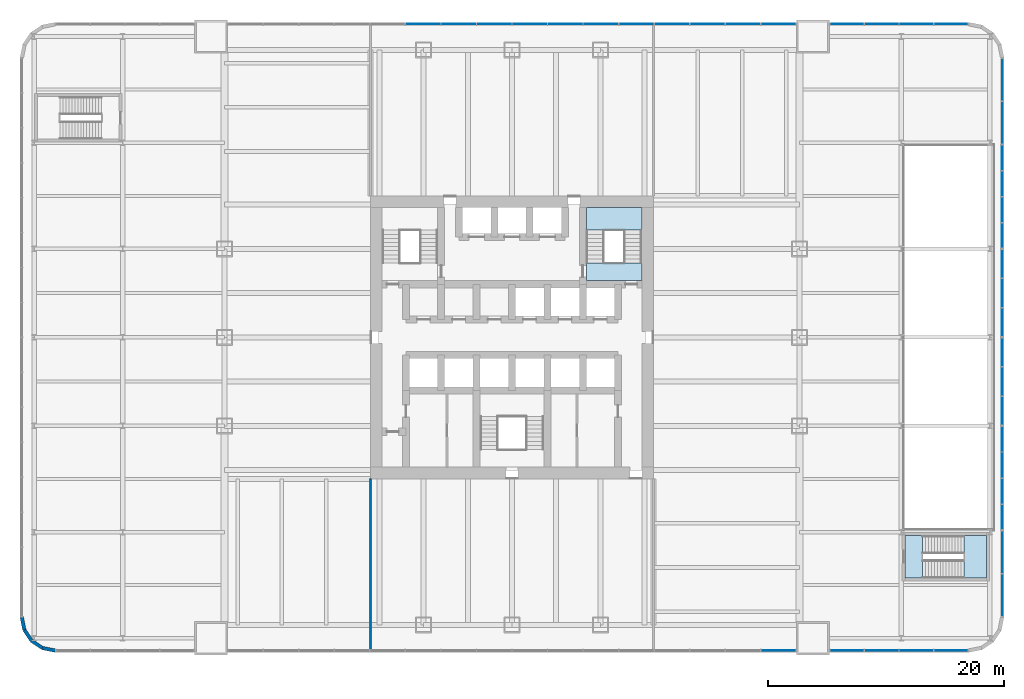
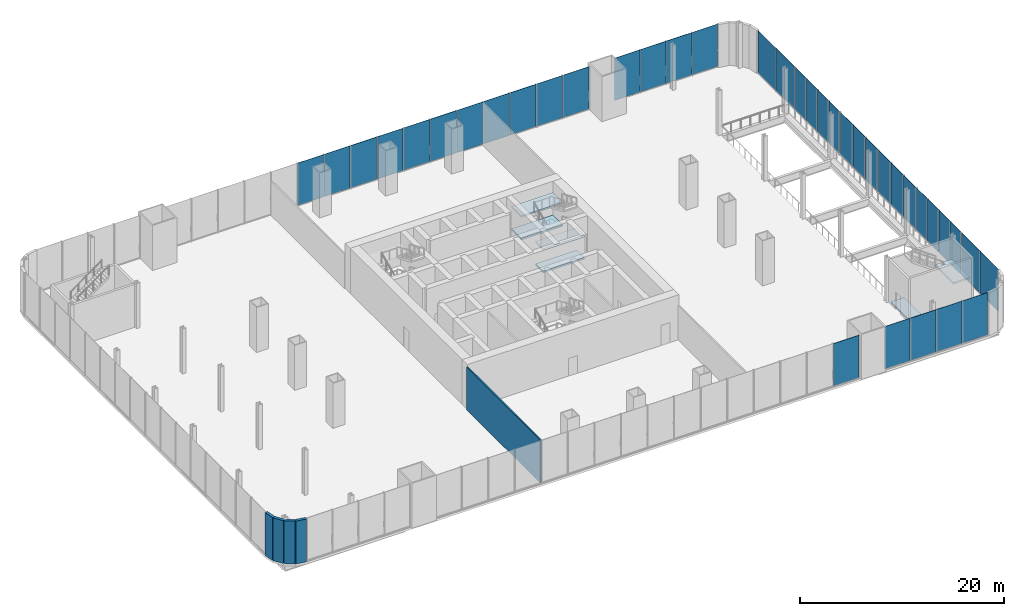
# One storey, part 11 of 16: 38 plates, 6 slabs, 5 walls, 12 elements without a shape of their own.
"""IFC4 building model written with IfcOpenShell, lengths in metres."""

import ifcopenshell
import ifcopenshell.guid

model = None  # the IFC model being written
_history = None  # IfcOwnerHistory: only IFC2X3 demands one
_inside = {}  # id of a spatial element -> (the spatial element, [elements in it])
_under = {}  # id of a project, library or spatial element -> (it, [spatial elements below it])
_declared = {}  # id of a project -> (the project, [libraries it declares])
_typed = {}  # id of a type object -> (the type object, [elements of that type])
_made_of = {}  # id of a material, layer set ... -> (it, [elements and type objects made of it])


def new_model(schema):
    """Start an empty IFC model of exactly this schema.

    Asked for "IFC4X3", IfcOpenShell would pick the latest addendum, in which some entities
    have other attributes; the version numbers below select the first issue.
    IFC2X3 requires an IfcOwnerHistory on every rooted entity: one is made here for all.
    """
    global model, _history
    if schema == "IFC4X3":
        model = ifcopenshell.file(schema_version=(4, 3, 0, 0))
    else:
        model = ifcopenshell.file(schema=schema)
    _inside.clear()
    _under.clear()
    _declared.clear()
    _typed.clear()
    _made_of.clear()
    _history = None
    if model.schema == "IFC2X3":
        org = make("IfcOrganization", Name="unknown")
        user = make(
            "IfcPersonAndOrganization",
            ThePerson=make("IfcPerson", FamilyName="unknown"),
            TheOrganization=org,
        )
        app = make(
            "IfcApplication",
            ApplicationDeveloper=org,
            Version="unknown",
            ApplicationFullName="unknown",
            ApplicationIdentifier="unknown",
        )
        _history = make(
            "IfcOwnerHistory",
            OwningUser=user,
            OwningApplication=app,
            ChangeAction="ADDED",
            CreationDate=0,
        )
    return model


def make(cls, **values):
    """One entity of the class cls with the attributes given. An attribute that is None is left unset."""
    return model.create_entity(
        cls, **{name: value for name, value in values.items() if value is not None}
    )


def rooted(cls, **values):
    """An entity with a GlobalId (a new one), such as an element, a storey or a relation."""
    return make(cls, GlobalId=ifcopenshell.guid.new(), OwnerHistory=_history, **values)


def si_unit(unit_type, name, prefix=None):
    """IfcSIUnit, for example si_unit("LENGTHUNIT", "METRE", prefix="MILLI")."""
    return make("IfcSIUnit", UnitType=unit_type, Prefix=prefix, Name=name)


def assignment(units):
    """IfcUnitAssignment: the units of a project."""
    return None if units is None else make("IfcUnitAssignment", Units=units)


def point(xyz):
    """IfcCartesianPoint."""
    return None if xyz is None else make("IfcCartesianPoint", Coordinates=xyz)


def direction(xyz):
    """IfcDirection."""
    return None if xyz is None else make("IfcDirection", DirectionRatios=xyz)


def frame(location, z_axis=None, x_axis=None):
    """IfcAxis2Placement3D, a coordinate frame: its origin and axes. An axis left out is left unset."""
    return make(
        "IfcAxis2Placement3D",
        Location=point(location),
        Axis=direction(z_axis),
        RefDirection=direction(x_axis),
    )


def frame_2d(location, x_axis=None):
    """IfcAxis2Placement2D, a coordinate frame in the plane: its origin and x axis."""
    return make(
        "IfcAxis2Placement2D", Location=point(location), RefDirection=direction(x_axis)
    )


def origin():
    """The frame at (0, 0, 0) with its axes left unset."""
    return frame((0.0, 0.0, 0.0))


def origin_2d():
    """The frame at (0, 0) in the plane with its x axis left unset."""
    return frame_2d((0.0, 0.0))


def place(relative_to, where):
    """IfcLocalPlacement: puts the frame where relative to a parent placement (None: the world)."""
    return make(
        "IfcLocalPlacement", PlacementRelTo=relative_to, RelativePlacement=where
    )


def context(
    kind, dimensions, precision=None, world=None, true_north=None, identifier=None
):
    """IfcGeometricRepresentationContext, for example the 3D "Model" context."""
    return make(
        "IfcGeometricRepresentationContext",
        ContextIdentifier=identifier,
        ContextType=kind,
        CoordinateSpaceDimension=dimensions,
        Precision=precision,
        WorldCoordinateSystem=world,
        TrueNorth=true_north,
    )


def subcontext(parent, identifier, kind, view, scale=None):
    """IfcGeometricRepresentationSubContext, for example "Body" below "Model"."""
    return make(
        "IfcGeometricRepresentationSubContext",
        ContextIdentifier=identifier,
        ContextType=kind,
        ParentContext=parent,
        TargetScale=scale,
        TargetView=view,
    )


def project(units=None, contexts=None):
    """IfcProject with its units and contexts."""
    return rooted(
        "IfcProject",
        Name="project",
        RepresentationContexts=contexts,
        UnitsInContext=assignment(units),
    )


def spatial(cls, under=None, at=None, **own):
    """A site, building, storey or space (cls), placed at a placement, below another one or the project."""
    s = rooted(cls, ObjectPlacement=at, **own)
    if under is not None:
        _under.setdefault(under.id(), (under, []))[1].append(s)
    return s


def polyline(points):
    """IfcPolyline through the points."""
    return make("IfcPolyline", Points=[point(p) for p in points])


def profile(cls, at=None, kind="AREA", **sizes):
    """A parametric profile (cls). Its sizes go by their IFC names, for example OverallWidth=200.0."""
    return make(cls, ProfileType=kind, Position=at, **sizes)


def rectangle(**sizes):
    """IfcRectangleProfileDef."""
    return profile("IfcRectangleProfileDef", **sizes)


def outline(outer, holes=None, kind="AREA"):
    """IfcArbitraryClosedProfileDef: a profile drawn as a closed curve; with holes, ...WithVoids."""
    if holes is None:
        return make("IfcArbitraryClosedProfileDef", ProfileType=kind, OuterCurve=outer)
    return make(
        "IfcArbitraryProfileDefWithVoids",
        ProfileType=kind,
        OuterCurve=outer,
        InnerCurves=holes,
    )


def extrude(swept, where, along, depth):
    """IfcExtrudedAreaSolid: the profile swept, set in the frame where, extruded along a direction by depth."""
    return make(
        "IfcExtrudedAreaSolid",
        SweptArea=swept,
        Position=where,
        ExtrudedDirection=direction(along),
        Depth=depth,
    )


def shape(context_of_items, identifier, shape_type, items):
    """IfcShapeRepresentation: the items that make up one representation, for example the "Body"."""
    return make(
        "IfcShapeRepresentation",
        ContextOfItems=context_of_items,
        RepresentationIdentifier=identifier,
        RepresentationType=shape_type,
        Items=items,
    )


def material(Name=None, Category=None):
    """IfcMaterial."""
    return make("IfcMaterial", Name=Name, Category=Category)


def layer(
    of_material, thickness, ventilated=None, Name=None, Category=None, Priority=None
):
    """IfcMaterialLayer: one layer of a wall or slab, of a material (None: an air gap)."""
    return make(
        "IfcMaterialLayer",
        Material=of_material,
        LayerThickness=thickness,
        IsVentilated=ventilated,
        Name=Name,
        Category=Category,
        Priority=Priority,
    )


def layer_set(layers, Name=None):
    """IfcMaterialLayerSet."""
    return make("IfcMaterialLayerSet", MaterialLayers=layers, LayerSetName=Name)


def made_of(thing, what):
    """Note that an element or type object is made of a material, layer set ...; save() writes the relation."""
    if what is not None:
        _made_of.setdefault(what.id(), (what, []))[1].append(thing)
    return thing


def type_object(cls, material=None, **own):
    """A type object (cls), such as IfcWallType, which elements share."""
    return made_of(rooted(cls, **own), material)


def element(
    cls,
    number,
    at=None,
    inside=None,
    cuts=None,
    type_object=None,
    material=None,
    context=None,
    identifier="Body",
    shape_type=None,
    held_by="IfcProductDefinitionShape",
    body=None,
    shapes=None,
    **own,
):
    """One element of the class cls, such as IfcWall. Its Tag is "e" and its number.

    at: its placement. inside: the storey or other place that contains it. cuts: it is an
    opening in that element (IfcRelVoidsElement). A single representation is given by context,
    identifier, shape_type and body (its items); several are given by shapes. held_by: the class
    of the entity that holds the representations. save() writes the other relations.
    """
    e = rooted(cls, Tag="e%d" % number, ObjectPlacement=at, **own)
    if body is not None:
        shapes = [shape(context, identifier, shape_type, body)]
    if shapes is not None:
        e.Representation = make(held_by, Representations=shapes)
    if inside is not None:
        _inside.setdefault(inside.id(), (inside, []))[1].append(e)
    if cuts is not None:
        rooted(
            "IfcRelVoidsElement", RelatingBuildingElement=cuts, RelatedOpeningElement=e
        )
    if type_object is not None:
        _typed.setdefault(type_object.id(), (type_object, []))[1].append(e)
    return made_of(e, material)


def aggregate(whole, parts):
    """IfcRelAggregates: a whole, such as a stair, and the parts it consists of."""
    return rooted("IfcRelAggregates", RelatingObject=whole, RelatedObjects=parts)


def save(model, path):
    """Write the relations noted so far, then the file.

    IfcRelAggregates (storeys below a building ...), IfcRelContainedInSpatialStructure (elements
    in a storey), IfcRelDefinesByType, IfcRelAssociatesMaterial and IfcRelDeclares: one each for
    every whole, place, type object, material and project.
    """
    for whole, parts in _under.values():
        aggregate(whole, parts)
    for where, things in _inside.values():
        rooted(
            "IfcRelContainedInSpatialStructure",
            RelatedElements=things,
            RelatingStructure=where,
        )
    for kind, things in _typed.values():
        rooted("IfcRelDefinesByType", RelatedObjects=things, RelatingType=kind)
    for what, things in _made_of.values():
        rooted("IfcRelAssociatesMaterial", RelatedObjects=things, RelatingMaterial=what)
    for by, libraries in _declared.values():
        rooted("IfcRelDeclares", RelatingContext=by, RelatedDefinitions=libraries)
    model.write(path)


model = new_model("IFC4")

# Units and contexts
model_context = context("Model", 3, precision=1e-05, world=origin(), true_north=direction((0.0, 1.0)))
body_context = subcontext(model_context, "Body", "Model", "MODEL_VIEW")
ifc_project = project(units=[si_unit("LENGTHUNIT", "METRE"), si_unit("AREAUNIT", "SQUARE_METRE"), si_unit("VOLUMEUNIT", "CUBIC_METRE"), si_unit("PLANEANGLEUNIT", "RADIAN"), si_unit("MASSUNIT", "GRAM", prefix="KILO")], contexts=[model_context])

# Site, building, storey
site_placement = place(None, origin())
site = spatial("IfcSite", under=ifc_project, at=site_placement, CompositionType="ELEMENT")
building_placement = place(site_placement, origin())
building = spatial("IfcBuilding", under=site, at=building_placement, Name="Tarangal Relay Tower", CompositionType="ELEMENT")
storey_placement = place(building_placement, frame((0.0, 0.0, 12.60009765625)))
storey = spatial("IfcBuildingStorey", under=building, at=storey_placement, Name="L02", CompositionType="ELEMENT", Elevation=12.60009765625)

# Curtain wall, plates
ifc_material_1 = material(Name="Unitised curtain wall, dark glass and black aluminium", Category="aluminium")
curtain_wall_type_1 = type_object("IfcCurtainWallType", Name="Curtain wall CW-P", PredefinedType="USERDEFINED", material=ifc_material_1)
curtain_wall_1_placement = place(storey_placement, origin())
curtain_wall_1 = element("IfcCurtainWall", 1, at=curtain_wall_1_placement, inside=storey, type_object=curtain_wall_type_1, Name="Curtain wall CW-P Podium N facade L02", ObjectType="UNITISED CURTAIN WALL", PredefinedType="USERDEFINED")
ifc_material_2 = material(Name="Dark tinted insulated glass unit", Category="glass")
ifc_layer_1 = layer(ifc_material_2, 0.033935546875)
ifc_layer_set_1 = layer_set([ifc_layer_1], Name="Glazed panel CW-P 34")
plate_type_1 = type_object("IfcPlateType", Name="Glazed panel CW-P 34", PredefinedType="CURTAIN_PANEL", material=ifc_layer_set_1)
plate_1_placement = place(storey_placement, frame((37.20751953125, 26.550048828125, 0.06982421875), z_axis=(0.0, 0.0, 1.0), x_axis=(-1.0, 0.0, 0.0)))
plate_1 = element("IfcPlate", 2, at=plate_1_placement, type_object=plate_type_1, Name="CW-P panel 1.1", PredefinedType="CURTAIN_PANEL", context=body_context, shape_type="SweptSolid", body=[
    extrude(rectangle(XDim=2.844970703125, YDim=0.033935546875, at=origin_2d()), origin(), (0.0, 0.0, 1.0), 5.080078125),
])
plate_2_placement = place(storey_placement, frame((34.27490234375, 26.550048828125, 0.06982421875), z_axis=(0.0, 0.0, 1.0), x_axis=(-1.0, 0.0, 0.0)))
plate_2 = element("IfcPlate", 3, at=plate_2_placement, type_object=plate_type_1, Name="CW-P panel 2.1", PredefinedType="CURTAIN_PANEL", context=body_context, shape_type="SweptSolid", body=[
    extrude(rectangle(XDim=2.8798828125, YDim=0.033935546875, at=origin_2d()), origin(), (0.0, 0.0, 1.0), 5.080078125),
])
plate_3_placement = place(storey_placement, frame((31.324951171875, 26.550048828125, 0.06982421875), z_axis=(0.0, 0.0, 1.0), x_axis=(-1.0, 0.0, 0.0)))
plate_3 = element("IfcPlate", 4, at=plate_3_placement, type_object=plate_type_1, Name="CW-P panel 3.1", PredefinedType="CURTAIN_PANEL", context=body_context, shape_type="SweptSolid", body=[
    extrude(rectangle(XDim=2.8798828125, YDim=0.033935546875, at=origin_2d()), origin(), (0.0, 0.0, 1.0), 5.080078125),
])
plate_4_placement = place(storey_placement, frame((28.392578125, 26.550048828125, 0.06982421875), z_axis=(0.0, 0.0, 1.0), x_axis=(-1.0, 0.0, 0.0)))
plate_4 = element("IfcPlate", 5, at=plate_4_placement, type_object=plate_type_1, Name="CW-P panel 4.1", PredefinedType="CURTAIN_PANEL", context=body_context, shape_type="SweptSolid", body=[
    extrude(rectangle(XDim=2.844970703125, YDim=0.033935546875, at=origin_2d()), origin(), (0.0, 0.0, 1.0), 5.080078125),
])
aggregate(curtain_wall_1, [plate_1, plate_2, plate_3, plate_4])

curtain_wall_2_placement = place(storey_placement, origin())
curtain_wall_2 = element("IfcCurtainWall", 6, at=curtain_wall_2_placement, inside=storey, type_object=curtain_wall_type_1, Name="Curtain wall CW-P Podium N facade L02", ObjectType="UNITISED CURTAIN WALL", PredefinedType="USERDEFINED")
plate_5_placement = place(storey_placement, frame((22.576171875, 26.550048828125, 0.06982421875), z_axis=(0.0, 0.0, 1.0), x_axis=(-1.0, 0.0, 0.0)))
plate_5 = element("IfcPlate", 7, at=plate_5_placement, type_object=plate_type_1, Name="CW-P panel 1.1", PredefinedType="CURTAIN_PANEL", context=body_context, shape_type="SweptSolid", body=[
    extrude(rectangle(XDim=2.907470703125, YDim=0.033935546875, at=origin_2d()), origin(), (0.0, 0.0, 1.0), 5.080078125),
])
plate_6_placement = place(storey_placement, frame((19.581298828125, 26.550048828125, 0.06982421875), z_axis=(0.0, 0.0, 1.0), x_axis=(-1.0, 0.0, 0.0)))
plate_6 = element("IfcPlate", 8, at=plate_6_placement, type_object=plate_type_1, Name="CW-P panel 2.1", PredefinedType="CURTAIN_PANEL", context=body_context, shape_type="SweptSolid", body=[
    extrude(rectangle(XDim=2.9423828125, YDim=0.033935546875, at=origin_2d()), origin(), (0.0, 0.0, 1.0), 5.080078125),
])
plate_7_placement = place(storey_placement, frame((16.56884765625, 26.550048828125, 0.06982421875), z_axis=(0.0, 0.0, 1.0), x_axis=(-1.0, 0.0, 0.0)))
plate_7 = element("IfcPlate", 9, at=plate_7_placement, type_object=plate_type_1, Name="CW-P panel 3.1", PredefinedType="CURTAIN_PANEL", context=body_context, shape_type="SweptSolid", body=[
    extrude(rectangle(XDim=2.9423828125, YDim=0.033935546875, at=origin_2d()), origin(), (0.0, 0.0, 1.0), 5.080078125),
])
plate_8_placement = place(storey_placement, frame((13.55615234375, 26.550048828125, 0.06982421875), z_axis=(0.0, 0.0, 1.0), x_axis=(-1.0, 0.0, 0.0)))
plate_8 = element("IfcPlate", 10, at=plate_8_placement, type_object=plate_type_1, Name="CW-P panel 4.1", PredefinedType="CURTAIN_PANEL", context=body_context, shape_type="SweptSolid", body=[
    extrude(rectangle(XDim=2.9423828125, YDim=0.033935546875, at=origin_2d()), origin(), (0.0, 0.0, 1.0), 5.080078125),
])
plate_9_placement = place(storey_placement, frame((10.543701171875, 26.550048828125, 0.06982421875), z_axis=(0.0, 0.0, 1.0), x_axis=(-1.0, 0.0, 0.0)))
plate_9 = element("IfcPlate", 11, at=plate_9_placement, type_object=plate_type_1, Name="CW-P panel 5.1", PredefinedType="CURTAIN_PANEL", context=body_context, shape_type="SweptSolid", body=[
    extrude(rectangle(XDim=2.9423828125, YDim=0.033935546875, at=origin_2d()), origin(), (0.0, 0.0, 1.0), 5.080078125),
])
plate_10_placement = place(storey_placement, frame((7.53125, 26.550048828125, 0.06982421875), z_axis=(0.0, 0.0, 1.0), x_axis=(-1.0, 0.0, 0.0)))
plate_10 = element("IfcPlate", 12, at=plate_10_placement, type_object=plate_type_1, Name="CW-P panel 6.1", PredefinedType="CURTAIN_PANEL", context=body_context, shape_type="SweptSolid", body=[
    extrude(rectangle(XDim=2.9423828125, YDim=0.033935546875, at=origin_2d()), origin(), (0.0, 0.0, 1.0), 5.080078125),
])
plate_11_placement = place(storey_placement, frame((4.518798828125, 26.550048828125, 0.06982421875), z_axis=(0.0, 0.0, 1.0), x_axis=(-1.0, 0.0, 0.0)))
plate_11 = element("IfcPlate", 13, at=plate_11_placement, type_object=plate_type_1, Name="CW-P panel 7.1", PredefinedType="CURTAIN_PANEL", context=body_context, shape_type="SweptSolid", body=[
    extrude(rectangle(XDim=2.9423828125, YDim=0.033935546875, at=origin_2d()), origin(), (0.0, 0.0, 1.0), 5.080078125),
])
plate_12_placement = place(storey_placement, frame((1.50634765625, 26.550048828125, 0.06982421875), z_axis=(0.0, 0.0, 1.0), x_axis=(-1.0, 0.0, 0.0)))
plate_12 = element("IfcPlate", 14, at=plate_12_placement, type_object=plate_type_1, Name="CW-P panel 8.1", PredefinedType="CURTAIN_PANEL", context=body_context, shape_type="SweptSolid", body=[
    extrude(rectangle(XDim=2.9423828125, YDim=0.033935546875, at=origin_2d()), origin(), (0.0, 0.0, 1.0), 5.080078125),
])
plate_13_placement = place(storey_placement, frame((-1.50634765625, 26.550048828125, 0.06982421875), z_axis=(0.0, 0.0, 1.0), x_axis=(-1.0, 0.0, 0.0)))
plate_13 = element("IfcPlate", 15, at=plate_13_placement, type_object=plate_type_1, Name="CW-P panel 9.1", PredefinedType="CURTAIN_PANEL", context=body_context, shape_type="SweptSolid", body=[
    extrude(rectangle(XDim=2.9423828125, YDim=0.033935546875, at=origin_2d()), origin(), (0.0, 0.0, 1.0), 5.080078125),
])
plate_14_placement = place(storey_placement, frame((-4.518798828125, 26.550048828125, 0.06982421875), z_axis=(0.0, 0.0, 1.0), x_axis=(-1.0, 0.0, 0.0)))
plate_14 = element("IfcPlate", 16, at=plate_14_placement, type_object=plate_type_1, Name="CW-P panel 10.1", PredefinedType="CURTAIN_PANEL", context=body_context, shape_type="SweptSolid", body=[
    extrude(rectangle(XDim=2.9423828125, YDim=0.033935546875, at=origin_2d()), origin(), (0.0, 0.0, 1.0), 5.080078125),
])
plate_15_placement = place(storey_placement, frame((-7.53125, 26.550048828125, 0.06982421875), z_axis=(0.0, 0.0, 1.0), x_axis=(-1.0, 0.0, 0.0)))
plate_15 = element("IfcPlate", 17, at=plate_15_placement, type_object=plate_type_1, Name="CW-P panel 11.1", PredefinedType="CURTAIN_PANEL", context=body_context, shape_type="SweptSolid", body=[
    extrude(rectangle(XDim=2.9423828125, YDim=0.033935546875, at=origin_2d()), origin(), (0.0, 0.0, 1.0), 5.080078125),
])
aggregate(curtain_wall_2, [plate_5, plate_6, plate_7, plate_8, plate_9, plate_10, plate_11, plate_12, plate_13, plate_14, plate_15])

# Curtain wall, plate
curtain_wall_3_placement = place(storey_placement, origin())
curtain_wall_3 = element("IfcCurtainWall", 18, at=curtain_wall_3_placement, inside=storey, type_object=curtain_wall_type_1, Name="Curtain wall CW-P Podium S facade L02", ObjectType="UNITISED CURTAIN WALL", PredefinedType="USERDEFINED")
plate_16_placement = place(storey_placement, frame((22.576171875, -26.550048828125, 0.06982421875), z_axis=(0.0, 0.0, 1.0), x_axis=(1.0, 0.0, 0.0)))
plate_16 = element("IfcPlate", 19, at=plate_16_placement, type_object=plate_type_1, Name="CW-P panel 16.1", PredefinedType="CURTAIN_PANEL", context=body_context, shape_type="SweptSolid", body=[
    extrude(rectangle(XDim=2.907470703125, YDim=0.033935546875, at=origin_2d()), origin(), (0.0, 0.0, 1.0), 5.080078125),
])
aggregate(curtain_wall_3, [plate_16])

# Curtain wall, plates
curtain_wall_4_placement = place(storey_placement, origin())
curtain_wall_4 = element("IfcCurtainWall", 20, at=curtain_wall_4_placement, inside=storey, type_object=curtain_wall_type_1, Name="Curtain wall CW-P Podium S facade L02", ObjectType="UNITISED CURTAIN WALL", PredefinedType="USERDEFINED")
plate_17_placement = place(storey_placement, frame((28.392578125, -26.550048828125, 0.06982421875), z_axis=(0.0, 0.0, 1.0), x_axis=(1.0, 0.0, 0.0)))
plate_17 = element("IfcPlate", 21, at=plate_17_placement, type_object=plate_type_1, Name="CW-P panel 1.1", PredefinedType="CURTAIN_PANEL", context=body_context, shape_type="SweptSolid", body=[
    extrude(rectangle(XDim=2.844970703125, YDim=0.033935546875, at=origin_2d()), origin(), (0.0, 0.0, 1.0), 5.080078125),
])
plate_18_placement = place(storey_placement, frame((31.324951171875, -26.550048828125, 0.06982421875), z_axis=(0.0, 0.0, 1.0), x_axis=(1.0, 0.0, 0.0)))
plate_18 = element("IfcPlate", 22, at=plate_18_placement, type_object=plate_type_1, Name="CW-P panel 2.1", PredefinedType="CURTAIN_PANEL", context=body_context, shape_type="SweptSolid", body=[
    extrude(rectangle(XDim=2.8798828125, YDim=0.033935546875, at=origin_2d()), origin(), (0.0, 0.0, 1.0), 5.080078125),
])
plate_19_placement = place(storey_placement, frame((34.27490234375, -26.550048828125, 0.06982421875), z_axis=(0.0, 0.0, 1.0), x_axis=(1.0, 0.0, 0.0)))
plate_19 = element("IfcPlate", 23, at=plate_19_placement, type_object=plate_type_1, Name="CW-P panel 3.1", PredefinedType="CURTAIN_PANEL", context=body_context, shape_type="SweptSolid", body=[
    extrude(rectangle(XDim=2.8798828125, YDim=0.033935546875, at=origin_2d()), origin(), (0.0, 0.0, 1.0), 5.080078125),
])
plate_20_placement = place(storey_placement, frame((37.20751953125, -26.550048828125, 0.06982421875), z_axis=(0.0, 0.0, 1.0), x_axis=(1.0, 0.0, 0.0)))
plate_20 = element("IfcPlate", 24, at=plate_20_placement, type_object=plate_type_1, Name="CW-P panel 4.1", PredefinedType="CURTAIN_PANEL", context=body_context, shape_type="SweptSolid", body=[
    extrude(rectangle(XDim=2.844970703125, YDim=0.033935546875, at=origin_2d()), origin(), (0.0, 0.0, 1.0), 5.080078125),
])
aggregate(curtain_wall_4, [plate_17, plate_18, plate_19, plate_20])

curtain_wall_5_placement = place(storey_placement, origin())
curtain_wall_5 = element("IfcCurtainWall", 25, at=curtain_wall_5_placement, inside=storey, type_object=curtain_wall_type_1, Name="Curtain wall CW-P Podium E facade L02", ObjectType="UNITISED CURTAIN WALL", PredefinedType="USERDEFINED")
plate_21_placement = place(storey_placement, frame((41.550048828125, -21.844970703125, 0.06982421875), z_axis=(0.0, 0.0, 1.0), x_axis=(0.0, 1.0, 0.0)))
plate_21 = element("IfcPlate", 26, at=plate_21_placement, type_object=plate_type_1, Name="CW-P panel 1.1", PredefinedType="CURTAIN_PANEL", context=body_context, shape_type="SweptSolid", body=[
    extrude(rectangle(XDim=3.570068359375, YDim=0.033935546875, at=origin_2d()), origin(), (0.0, 0.0, 1.0), 5.080078125),
])
plate_22_placement = place(storey_placement, frame((41.550048828125, -18.205078125, 0.06982421875), z_axis=(0.0, 0.0, 1.0), x_axis=(0.0, 1.0, 0.0)))
plate_22 = element("IfcPlate", 27, at=plate_22_placement, type_object=plate_type_1, Name="CW-P panel 2.1", PredefinedType="CURTAIN_PANEL", context=body_context, shape_type="SweptSolid", body=[
    extrude(rectangle(XDim=3.570068359375, YDim=0.033935546875, at=origin_2d()), origin(), (0.0, 0.0, 1.0), 5.080078125),
])
aggregate(curtain_wall_5, [plate_21, plate_22])

curtain_wall_6_placement = place(storey_placement, origin())
curtain_wall_6 = element("IfcCurtainWall", 28, at=curtain_wall_6_placement, inside=storey, type_object=curtain_wall_type_1, Name="Curtain wall CW-P Podium E facade L02", ObjectType="UNITISED CURTAIN WALL", PredefinedType="USERDEFINED")
plate_23_placement = place(storey_placement, frame((41.550048828125, 18.205078125, 0.06982421875), z_axis=(0.0, 0.0, 1.0), x_axis=(0.0, 1.0, 0.0)))
plate_23 = element("IfcPlate", 29, at=plate_23_placement, type_object=plate_type_1, Name="CW-P panel 1.1", PredefinedType="CURTAIN_PANEL", context=body_context, shape_type="SweptSolid", body=[
    extrude(rectangle(XDim=3.570068359375, YDim=0.033935546875, at=origin_2d()), origin(), (0.0, 0.0, 1.0), 5.080078125),
])
plate_24_placement = place(storey_placement, frame((41.550048828125, 21.844970703125, 0.06982421875), z_axis=(0.0, 0.0, 1.0), x_axis=(0.0, 1.0, 0.0)))
plate_24 = element("IfcPlate", 30, at=plate_24_placement, type_object=plate_type_1, Name="CW-P panel 2.1", PredefinedType="CURTAIN_PANEL", context=body_context, shape_type="SweptSolid", body=[
    extrude(rectangle(XDim=3.570068359375, YDim=0.033935546875, at=origin_2d()), origin(), (0.0, 0.0, 1.0), 5.080078125),
])
aggregate(curtain_wall_6, [plate_23, plate_24])

curtain_wall_type_2 = type_object("IfcCurtainWallType", Name="Curtain wall CW-T", PredefinedType="USERDEFINED", material=ifc_material_1)
curtain_wall_7_placement = place(storey_placement, origin())
curtain_wall_7 = element("IfcCurtainWall", 31, at=curtain_wall_7_placement, inside=storey, type_object=curtain_wall_type_2, Name="Curtain wall CW-T Podium E facade L02", ObjectType="UNITISED CURTAIN WALL", PredefinedType="USERDEFINED")
ifc_layer_2 = layer(ifc_material_2, 0.0400390625)
ifc_layer_set_2 = layer_set([ifc_layer_2], Name="Glazed panel CW-T 40")
plate_type_2 = type_object("IfcPlateType", Name="Glazed panel CW-T 40", PredefinedType="CURTAIN_PANEL", material=ifc_layer_set_2)
plate_25_placement = place(storey_placement, frame((41.550048828125, -15.2236328125, 0.080078125), z_axis=(0.0, 0.0, 1.0), x_axis=(0.0, 1.0, 0.0)))
plate_25 = element("IfcPlate", 32, at=plate_25_placement, type_object=plate_type_2, Name="CW-T panel 1.1", PredefinedType="CURTAIN_PANEL", context=body_context, shape_type="SweptSolid", body=[
    extrude(rectangle(XDim=2.092529296875, YDim=0.0400390625, at=origin_2d()), origin(), (0.0, 0.0, 1.0), 5.070068359375),
])
plate_26_placement = place(storey_placement, frame((41.550048828125, -13.03125, 0.080078125), z_axis=(0.0, 0.0, 1.0), x_axis=(0.0, 1.0, 0.0)))
plate_26 = element("IfcPlate", 33, at=plate_26_placement, type_object=plate_type_2, Name="CW-T panel 2.1", PredefinedType="CURTAIN_PANEL", context=body_context, shape_type="SweptSolid", body=[
    extrude(rectangle(XDim=2.132568359375, YDim=0.0400390625, at=origin_2d()), origin(), (0.0, 0.0, 1.0), 5.070068359375),
])
plate_27_placement = place(storey_placement, frame((41.550048828125, -10.81884765625, 0.080078125), z_axis=(0.0, 0.0, 1.0), x_axis=(0.0, 1.0, 0.0)))
plate_27 = element("IfcPlate", 34, at=plate_27_placement, type_object=plate_type_2, Name="CW-T panel 3.1", PredefinedType="CURTAIN_PANEL", context=body_context, shape_type="SweptSolid", body=[
    extrude(rectangle(XDim=2.132568359375, YDim=0.0400390625, at=origin_2d()), origin(), (0.0, 0.0, 1.0), 5.070068359375),
])
plate_28_placement = place(storey_placement, frame((41.550048828125, -8.626220703125, 0.080078125), z_axis=(0.0, 0.0, 1.0), x_axis=(0.0, 1.0, 0.0)))
plate_28 = element("IfcPlate", 35, at=plate_28_placement, type_object=plate_type_2, Name="CW-T panel 4.1", PredefinedType="CURTAIN_PANEL", context=body_context, shape_type="SweptSolid", body=[
    extrude(rectangle(XDim=2.092529296875, YDim=0.0400390625, at=origin_2d()), origin(), (0.0, 0.0, 1.0), 5.070068359375),
])
aggregate(curtain_wall_7, [plate_25, plate_26, plate_27, plate_28])

curtain_wall_8_placement = place(storey_placement, origin())
curtain_wall_8 = element("IfcCurtainWall", 36, at=curtain_wall_8_placement, inside=storey, type_object=curtain_wall_type_2, Name="Curtain wall CW-T Podium E facade L02", ObjectType="UNITISED CURTAIN WALL", PredefinedType="USERDEFINED")
plate_29_placement = place(storey_placement, frame((41.550048828125, -6.22998046875, 0.080078125), z_axis=(0.0, 0.0, 1.0), x_axis=(0.0, 1.0, 0.0)))
plate_29 = element("IfcPlate", 37, at=plate_29_placement, type_object=plate_type_2, Name="CW-T panel 1.1", PredefinedType="CURTAIN_PANEL", context=body_context, shape_type="SweptSolid", body=[
    extrude(rectangle(XDim=2.3798828125, YDim=0.0400390625, at=origin_2d()), origin(), (0.0, 0.0, 1.0), 5.070068359375),
])
plate_30_placement = place(storey_placement, frame((41.550048828125, -3.75, 0.080078125), z_axis=(0.0, 0.0, 1.0), x_axis=(0.0, 1.0, 0.0)))
plate_30 = element("IfcPlate", 38, at=plate_30_placement, type_object=plate_type_2, Name="CW-T panel 2.1", PredefinedType="CURTAIN_PANEL", context=body_context, shape_type="SweptSolid", body=[
    extrude(rectangle(XDim=2.419921875, YDim=0.0400390625, at=origin_2d()), origin(), (0.0, 0.0, 1.0), 5.070068359375),
])
plate_31_placement = place(storey_placement, frame((41.550048828125, -1.27001953125, 0.080078125), z_axis=(0.0, 0.0, 1.0), x_axis=(0.0, 1.0, 0.0)))
plate_31 = element("IfcPlate", 39, at=plate_31_placement, type_object=plate_type_2, Name="CW-T panel 3.1", PredefinedType="CURTAIN_PANEL", context=body_context, shape_type="SweptSolid", body=[
    extrude(rectangle(XDim=2.3798828125, YDim=0.0400390625, at=origin_2d()), origin(), (0.0, 0.0, 1.0), 5.070068359375),
])
aggregate(curtain_wall_8, [plate_29, plate_30, plate_31])

curtain_wall_9_placement = place(storey_placement, origin())
curtain_wall_9 = element("IfcCurtainWall", 40, at=curtain_wall_9_placement, inside=storey, type_object=curtain_wall_type_2, Name="Curtain wall CW-T Podium E facade L02", ObjectType="UNITISED CURTAIN WALL", PredefinedType="USERDEFINED")
plate_32_placement = place(storey_placement, frame((41.550048828125, 1.27001953125, 0.080078125), z_axis=(0.0, 0.0, 1.0), x_axis=(0.0, 1.0, 0.0)))
plate_32 = element("IfcPlate", 41, at=plate_32_placement, type_object=plate_type_2, Name="CW-T panel 1.1", PredefinedType="CURTAIN_PANEL", context=body_context, shape_type="SweptSolid", body=[
    extrude(rectangle(XDim=2.3798828125, YDim=0.0400390625, at=origin_2d()), origin(), (0.0, 0.0, 1.0), 5.070068359375),
])
plate_33_placement = place(storey_placement, frame((41.550048828125, 3.75, 0.080078125), z_axis=(0.0, 0.0, 1.0), x_axis=(0.0, 1.0, 0.0)))
plate_33 = element("IfcPlate", 42, at=plate_33_placement, type_object=plate_type_2, Name="CW-T panel 2.1", PredefinedType="CURTAIN_PANEL", context=body_context, shape_type="SweptSolid", body=[
    extrude(rectangle(XDim=2.419921875, YDim=0.0400390625, at=origin_2d()), origin(), (0.0, 0.0, 1.0), 5.070068359375),
])
plate_34_placement = place(storey_placement, frame((41.550048828125, 6.22998046875, 0.080078125), z_axis=(0.0, 0.0, 1.0), x_axis=(0.0, 1.0, 0.0)))
plate_34 = element("IfcPlate", 43, at=plate_34_placement, type_object=plate_type_2, Name="CW-T panel 3.1", PredefinedType="CURTAIN_PANEL", context=body_context, shape_type="SweptSolid", body=[
    extrude(rectangle(XDim=2.3798828125, YDim=0.0400390625, at=origin_2d()), origin(), (0.0, 0.0, 1.0), 5.070068359375),
])
aggregate(curtain_wall_9, [plate_32, plate_33, plate_34])

curtain_wall_10_placement = place(storey_placement, origin())
curtain_wall_10 = element("IfcCurtainWall", 44, at=curtain_wall_10_placement, inside=storey, type_object=curtain_wall_type_2, Name="Curtain wall CW-T Podium E facade L02", ObjectType="UNITISED CURTAIN WALL", PredefinedType="USERDEFINED")
plate_35_placement = place(storey_placement, frame((41.550048828125, 8.626220703125, 0.080078125), z_axis=(0.0, 0.0, 1.0), x_axis=(0.0, 1.0, 0.0)))
plate_35 = element("IfcPlate", 45, at=plate_35_placement, type_object=plate_type_2, Name="CW-T panel 1.1", PredefinedType="CURTAIN_PANEL", context=body_context, shape_type="SweptSolid", body=[
    extrude(rectangle(XDim=2.092529296875, YDim=0.0400390625, at=origin_2d()), origin(), (0.0, 0.0, 1.0), 5.070068359375),
])
plate_36_placement = place(storey_placement, frame((41.550048828125, 10.81884765625, 0.080078125), z_axis=(0.0, 0.0, 1.0), x_axis=(0.0, 1.0, 0.0)))
plate_36 = element("IfcPlate", 46, at=plate_36_placement, type_object=plate_type_2, Name="CW-T panel 2.1", PredefinedType="CURTAIN_PANEL", context=body_context, shape_type="SweptSolid", body=[
    extrude(rectangle(XDim=2.132568359375, YDim=0.0400390625, at=origin_2d()), origin(), (0.0, 0.0, 1.0), 5.070068359375),
])
plate_37_placement = place(storey_placement, frame((41.550048828125, 13.03125, 0.080078125), z_axis=(0.0, 0.0, 1.0), x_axis=(0.0, 1.0, 0.0)))
plate_37 = element("IfcPlate", 47, at=plate_37_placement, type_object=plate_type_2, Name="CW-T panel 3.1", PredefinedType="CURTAIN_PANEL", context=body_context, shape_type="SweptSolid", body=[
    extrude(rectangle(XDim=2.132568359375, YDim=0.0400390625, at=origin_2d()), origin(), (0.0, 0.0, 1.0), 5.070068359375),
])
plate_38_placement = place(storey_placement, frame((41.550048828125, 15.2236328125, 0.080078125), z_axis=(0.0, 0.0, 1.0), x_axis=(0.0, 1.0, 0.0)))
plate_38 = element("IfcPlate", 48, at=plate_38_placement, type_object=plate_type_2, Name="CW-T panel 4.1", PredefinedType="CURTAIN_PANEL", context=body_context, shape_type="SweptSolid", body=[
    extrude(rectangle(XDim=2.092529296875, YDim=0.0400390625, at=origin_2d()), origin(), (0.0, 0.0, 1.0), 5.070068359375),
])
aggregate(curtain_wall_10, [plate_35, plate_36, plate_37, plate_38])

# Stair, slabs
ifc_material_3 = material(Name="Steel ASTM A992 stair flight", Category="steel")
stair_type_1 = type_object("IfcStairType", Name="Core stair 1500", PredefinedType="HALF_TURN_STAIR", material=ifc_material_3)
stair_1_placement = place(storey_placement, origin())
stair_1 = element("IfcStair", 49, at=stair_1_placement, inside=storey, type_object=stair_type_1, Name="Stair ST-B L02", PredefinedType="HALF_TURN_STAIR")
ifc_material_4 = material(Name="Concrete fc' 35 MPa", Category="concrete")
ifc_layer_3 = layer(ifc_material_4, 0.199951171875)
ifc_layer_set_3 = layer_set([ifc_layer_3], Name="Stair landing 200")
slab_type = type_object("IfcSlabType", Name="Stair landing 200", PredefinedType="LANDING", material=ifc_layer_set_3)
slab_1_placement = place(storey_placement, frame((0.0, 0.0, -0.2001953125)))
slab_1 = element("IfcSlab", 50, at=slab_1_placement, type_object=slab_type, Name="ST-B landing 1", PredefinedType="LANDING", context=body_context, shape_type="SweptSolid", body=[
    extrude(outline(polyline([(6.300048828125, 4.800048828125), (11.0, 4.800048828125), (11.0, 6.300048828125), (6.300048828125, 6.300048828125), (6.300048828125, 4.800048828125)])), origin(), (0.0, 0.0, 1.0), 0.2001953125),
])
slab_2_placement = place(storey_placement, frame((0.0, 0.0, 1.14990234375)))
slab_2 = element("IfcSlab", 51, at=slab_2_placement, type_object=slab_type, Name="ST-B landing 2", PredefinedType="LANDING", context=body_context, shape_type="SweptSolid", body=[
    extrude(outline(polyline([(6.300048828125, 9.083984375), (11.0, 9.083984375), (11.0, 11.0), (6.300048828125, 11.0), (6.300048828125, 9.083984375)])), origin(), (0.0, 0.0, 1.0), 0.199951171875),
])
slab_3_placement = place(storey_placement, frame((0.0, 0.0, 2.5)))
slab_3 = element("IfcSlab", 52, at=slab_3_placement, type_object=slab_type, Name="ST-B landing 3", PredefinedType="LANDING", context=body_context, shape_type="SweptSolid", body=[
    extrude(outline(polyline([(6.300048828125, 4.800048828125), (11.0, 4.800048828125), (11.0, 6.300048828125), (6.300048828125, 6.300048828125), (6.300048828125, 4.800048828125)])), origin(), (0.0, 0.0, 1.0), 0.199951171875),
])
slab_4_placement = place(storey_placement, frame((0.0, 0.0, 3.849853515625)))
slab_4 = element("IfcSlab", 53, at=slab_4_placement, type_object=slab_type, Name="ST-B landing 4", PredefinedType="LANDING", context=body_context, shape_type="SweptSolid", body=[
    extrude(outline(polyline([(6.300048828125, 9.083984375), (11.0, 9.083984375), (11.0, 11.0), (6.300048828125, 11.0), (6.300048828125, 9.083984375)])), origin(), (0.0, 0.0, 1.0), 0.199951171875),
])
aggregate(stair_1, [slab_1, slab_2, slab_3, slab_4])

stair_type_2 = type_object("IfcStairType", Name="Podium stair 1500", PredefinedType="HALF_TURN_STAIR", material=ifc_material_3)
stair_2_placement = place(storey_placement, origin())
stair_2 = element("IfcStair", 54, at=stair_2_placement, inside=storey, type_object=stair_type_2, Name="Stair ST-E L02", PredefinedType="HALF_TURN_STAIR")
slab_5_placement = place(storey_placement, frame((0.0, 0.0, -0.2001953125)))
slab_5 = element("IfcSlab", 55, at=slab_5_placement, type_object=slab_type, Name="ST-E landing 1", PredefinedType="LANDING", context=body_context, shape_type="SweptSolid", body=[
    extrude(outline(polyline([(34.800048828125, -20.39990234375), (34.800048828125, -16.800048828125), (33.300048828125, -16.800048828125), (33.300048828125, -20.39990234375), (34.800048828125, -20.39990234375)])), origin(), (0.0, 0.0, 1.0), 0.2001953125),
])
slab_6_placement = place(storey_placement, frame((0.0, 0.0, 2.5)))
slab_6 = element("IfcSlab", 56, at=slab_6_placement, type_object=slab_type, Name="ST-E landing 2", PredefinedType="LANDING", context=body_context, shape_type="SweptSolid", body=[
    extrude(outline(polyline([(40.199951171875, -20.39990234375), (40.199951171875, -16.800048828125), (38.300048828125, -16.800048828125), (38.300048828125, -20.39990234375), (40.199951171875, -20.39990234375)])), origin(), (0.0, 0.0, 1.0), 0.199951171875),
])
aggregate(stair_2, [slab_5, slab_6])

# Walls
ifc_material_5 = material(Name="Gypsum board on steel studs", Category="steel")
ifc_layer_4 = layer(ifc_material_5, 0.14990234375)
ifc_layer_set_4 = layer_set([ifc_layer_4], Name="Partition 150")
wall_type_1 = type_object("IfcWallType", Name="Partition 150", PredefinedType="PARTITIONING", material=ifc_layer_set_4)
wall_placement = place(storey_placement, frame((-12.0, -12.0, 0.0), z_axis=(0.0, 0.0, 1.0), x_axis=(0.0, -1.0, 0.0)))
element("IfcWall", 57, at=wall_placement, inside=storey, type_object=wall_type_1, Name="Partition PT1 L02", PredefinedType="PARTITIONING", context=body_context, shape_type="SweptSolid", body=[
    extrude(rectangle(XDim=14.449951171875, YDim=0.14990234375, at=frame_2d((7.22509765625, 0.0))), origin(), (0.0, 0.0, 1.0), 5.14990234375),
])
ifc_material_6 = material(Name="Black granite clad concrete wall", Category="masonry")
ifc_layer_5 = layer(ifc_material_6, 0.300048828125)
ifc_layer_set_5 = layer_set([ifc_layer_5], Name="Podium wall 300")
wall_type_2 = type_object("IfcWallType", Name="Podium wall 300", PredefinedType="SOLIDWALL", material=ifc_layer_set_5)
for number, where, z_axis, x_axis, name in (
    (58, (-41.550048828125, -23.699951171875, 0.0), (0.0, 0.0, 1.0), (0.195187147506, -0.980766015647, 0.0), "Podium corner wall L02"),
    (59, (-41.3330078125, -24.79052734375, 0.0), (0.0, 0.0, 1.0), (0.555409243355, -0.831577159616, 0.0), "Podium corner wall L02"),
    (60, (-40.71533203125, -25.71533203125, 0.0), (0.0, 0.0, 1.0), (0.831577159616, -0.555409243355, 0.0), "Podium corner wall L02"),
    (61, (-39.79052734375, -26.3330078125, 0.0), (0.0, 0.0, 1.0), (0.980766015647, -0.195187147506, 0.0), "Podium corner wall L02"),
):
    element("IfcWall", number, at=place(storey_placement, frame(where, z_axis=z_axis, x_axis=x_axis)), inside=storey, type_object=wall_type_2, Name=name, PredefinedType="SOLIDWALL", context=body_context, shape_type="SweptSolid", body=[
        extrude(rectangle(XDim=1.112060546875, YDim=0.300048828125, at=frame_2d((0.55615234375, 0.0))), origin(), (0.0, 0.0, 1.0), 5.14990234375),
    ])

save(model, "model.ifc")
